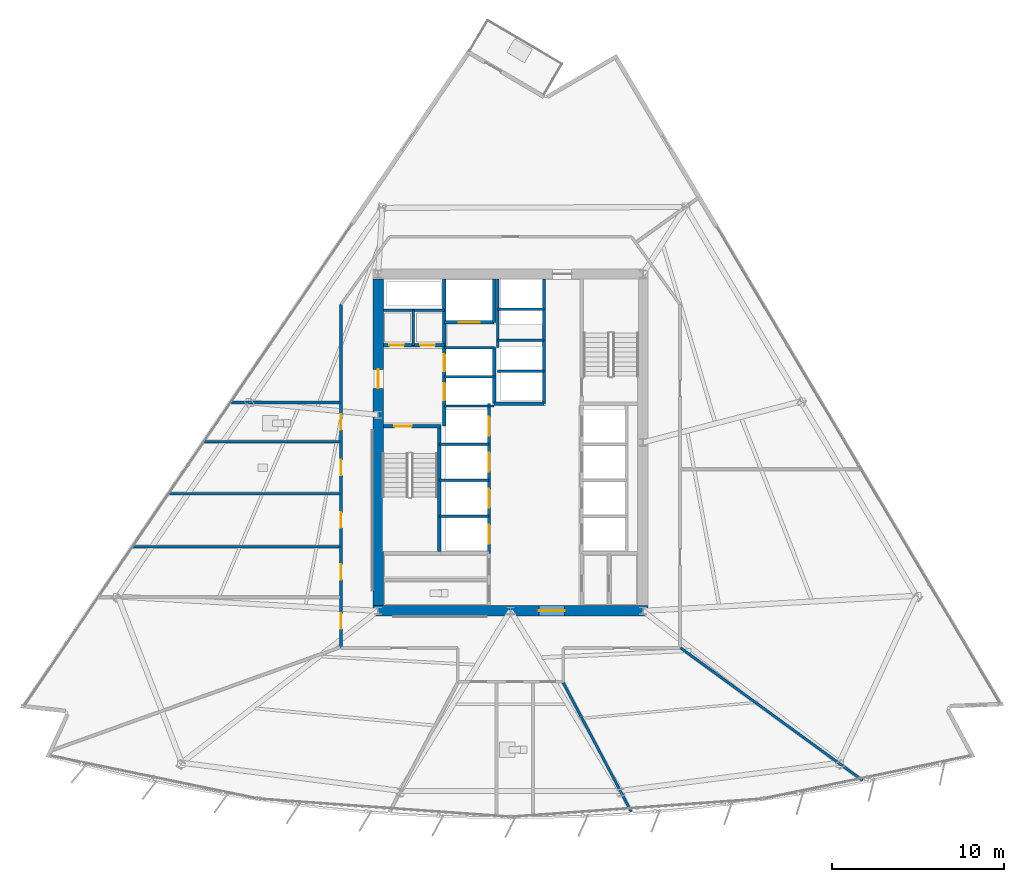
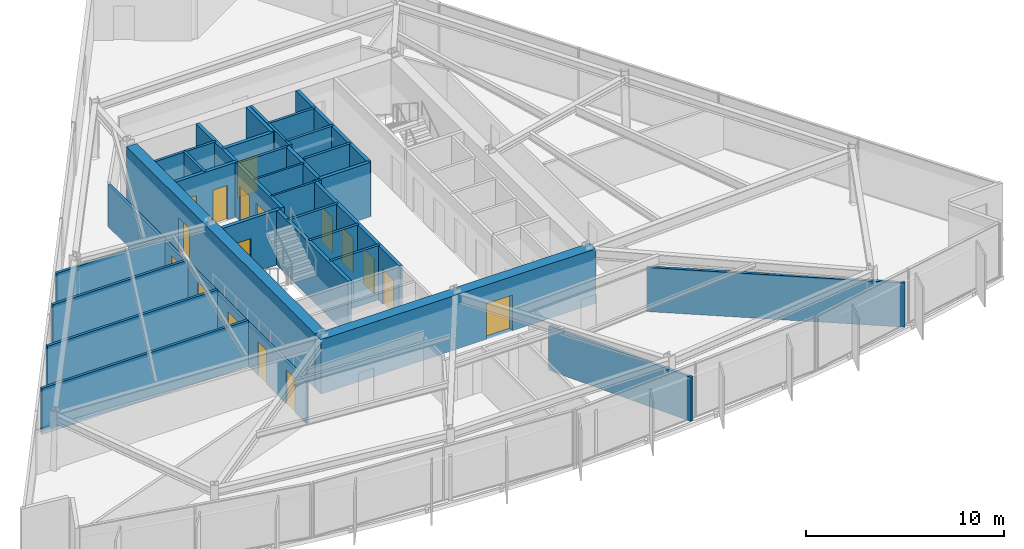
# One storey, part 8 of 15: 31 walls, 17 doors, 17 openings.
"""IFC4 building model written with IfcOpenShell, lengths in metres."""

from ifc_helpers import new_model, si_unit, direction, frame, frame_2d, origin, place, context, subcontext, project, spatial, rectangle, extrude, material, layer, layer_set, type_object, element, fill, save


model = new_model("IFC4")

# Units and contexts
model_context = context("Model", 3, precision=1e-05, world=origin(), true_north=direction((0.0, 1.0)))
body_context = subcontext(model_context, "Body", "Model", "MODEL_VIEW")
ifc_project = project(units=[si_unit("LENGTHUNIT", "METRE"), si_unit("AREAUNIT", "SQUARE_METRE"), si_unit("VOLUMEUNIT", "CUBIC_METRE"), si_unit("PLANEANGLEUNIT", "RADIAN"), si_unit("MASSUNIT", "GRAM", prefix="KILO")], contexts=[model_context])

# Site, building, storey
site_placement = place(None, origin())
site = spatial("IfcSite", under=ifc_project, at=site_placement, CompositionType="ELEMENT")
building_placement = place(site_placement, origin())
building = spatial("IfcBuilding", under=site, at=building_placement, Name="Savorim Split Tower", CompositionType="ELEMENT")
storey_placement = place(building_placement, frame((0.0, 0.0, 86.10009765625)))
storey = spatial("IfcBuildingStorey", under=building, at=storey_placement, Name="L22", CompositionType="ELEMENT", Elevation=86.10009765625)

# Wall, opening, door
ifc_material_1 = material(Name="Concrete C60/75", Category="concrete")
ifc_layer_1 = layer(ifc_material_1, 0.60009765625)
ifc_layer_set_1 = layer_set([ifc_layer_1], Name="WAL-COR-SH600")
wall_type_1 = type_object("IfcWallType", Name="WAL-COR-SH600", PredefinedType="SHEAR", material=ifc_layer_set_1)
wall_1_placement = place(storey_placement, frame((-8.0, -9.39990234375, 0.0), z_axis=(0.0, 0.0, 1.0), x_axis=(1.0, 0.0, 0.0)))
wall_1 = element("IfcWall", 1, at=wall_1_placement, inside=storey, type_object=wall_type_1, Name="L22 Offset Core South Shear Wall", PredefinedType="SHEAR", context=body_context, shape_type="SweptSolid", body=[
    extrude(rectangle(XDim=16.0, YDim=0.60009765625, at=frame_2d((8.0, 0.0))), origin(), (0.0, 0.0, 1.0), 3.349853515625),
])
opening_1_placement = place(wall_1_placement, frame((9.64990234375, 0.0, 0.0)))
opening_1 = element("IfcOpeningElement", 2, at=opening_1_placement, cuts=wall_1, Name="Opening DI-02", PredefinedType="OPENING", context=body_context, shape_type="SweptSolid", body=[
    extrude(rectangle(XDim=1.5, YDim=2.199951171875, at=frame_2d((0.75, 1.10009765625))), frame((0.0, 0.31005859375, 0.0), z_axis=(0.0, -1.0, 0.0), x_axis=(1.0, 0.0, 0.0)), (0.0, 0.0, 1.0), 0.6201171875),
])
ifc_material_2 = material(Name="Timber Fire Door Leaf", Category="wood")
door_type_1 = type_object("IfcDoorType", Name="DOR-DBL-1500", OperationType="NOTDEFINED", PredefinedType="DOOR", material=ifc_material_2)
door_1_placement = place(opening_1_placement, origin())
door_1 = element("IfcDoor", 3, at=door_1_placement, inside=storey, type_object=door_type_1, Name="DOR-L22-COR-LLOB - L22 Lift Lobby Main Rated Door", OperationType="DOUBLE_DOOR_SINGLE_SWING", OverallHeight=2.199951171875, OverallWidth=1.5, PredefinedType="DOOR", context=body_context, shape_type="SweptSolid", body=[
    extrude(rectangle(XDim=1.5, YDim=2.199951171875, at=frame_2d((0.75, 1.10009765625))), frame((0.0, 0.02490234375, 0.0), z_axis=(0.0, -1.0, 0.0), x_axis=(1.0, 0.0, 0.0)), (0.0, 0.0, 1.0), 0.050048828125),
])
fill(opening_1, door_1)

wall_2_placement = place(storey_placement, frame((-7.699951171875, -9.10009765625, 0.0), z_axis=(0.0, 0.0, 1.0), x_axis=(0.0, 1.0, 0.0)))
wall_2 = element("IfcWall", 4, at=wall_2_placement, inside=storey, type_object=wall_type_1, Name="L22 Offset Core West Shear Wall", PredefinedType="SHEAR", context=body_context, shape_type="SweptSolid", body=[
    extrude(rectangle(XDim=19.0, YDim=0.60009765625, at=frame_2d((9.5, 0.0))), origin(), (0.0, 0.0, 1.0), 3.349853515625),
])
opening_2_placement = place(wall_2_placement, frame((12.64990234375, 0.0, 0.0)))
opening_2 = element("IfcOpeningElement", 5, at=opening_2_placement, cuts=wall_2, Name="Opening DI-03", PredefinedType="OPENING", context=body_context, shape_type="SweptSolid", body=[
    extrude(rectangle(XDim=1.10009765625, YDim=2.14990234375, at=frame_2d((0.550048828125, 1.074951171875))), frame((0.0, 0.31005859375, 0.0), z_axis=(0.0, -1.0, 0.0), x_axis=(1.0, 0.0, 0.0)), (0.0, 0.0, 1.0), 0.6201171875),
])
door_type_2 = type_object("IfcDoorType", Name="DOR-FIR-1100", OperationType="NOTDEFINED", PredefinedType="DOOR", material=ifc_material_2)
door_2_placement = place(opening_2_placement, origin())
door_2 = element("IfcDoor", 6, at=door_2_placement, inside=storey, type_object=door_type_2, Name="DOR-L22-COR-FFLOB - L22 Firefighting Lobby Corridor Door", OperationType="SINGLE_SWING_RIGHT", OverallHeight=2.14990234375, OverallWidth=1.10009765625, PredefinedType="DOOR", context=body_context, shape_type="SweptSolid", body=[
    extrude(rectangle(XDim=1.10009765625, YDim=2.14990234375, at=frame_2d((0.550048828125, 1.074951171875))), frame((0.0, 0.02490234375, 0.0), z_axis=(0.0, -1.0, 0.0), x_axis=(1.0, 0.0, 0.0)), (0.0, 0.0, 1.0), 0.050048828125),
])
fill(opening_2, door_2)

ifc_material_3 = material(Name="Concrete C50/60", Category="concrete")
ifc_layer_2 = layer(ifc_material_3, 0.199951171875)
ifc_layer_set_2 = layer_set([ifc_layer_2], Name="WAL-INT-RC200")
wall_type_2 = type_object("IfcWallType", Name="WAL-INT-RC200", PredefinedType="SOLIDWALL", material=ifc_layer_set_2)
wall_3_placement = place(storey_placement, frame((-7.39990234375, 1.35009765625, 0.0), z_axis=(0.0, 0.0, 1.0), x_axis=(1.0, 0.0, 0.0)))
wall_3 = element("IfcWall", 7, at=wall_3_placement, inside=storey, type_object=wall_type_2, Name="L22 Structural Shaft Wall W-L22-CR01", PredefinedType="SOLIDWALL", context=body_context, shape_type="SweptSolid", body=[
    extrude(rectangle(XDim=3.349853515625, YDim=0.199951171875, at=frame_2d((1.6748046875, 0.0))), origin(), (0.0, 0.0, 1.0), 3.349853515625),
])
opening_3_placement = place(wall_3_placement, frame((0.64990234375, 0.0, 0.0)))
opening_3 = element("IfcOpeningElement", 8, at=opening_3_placement, cuts=wall_3, Name="Opening DI-04", PredefinedType="OPENING", context=body_context, shape_type="SweptSolid", body=[
    extrude(rectangle(XDim=1.0, YDim=2.14990234375, at=frame_2d((0.5, 1.074951171875))), frame((0.0, 0.10986328125, 0.0), z_axis=(0.0, -1.0, 0.0), x_axis=(1.0, 0.0, 0.0)), (0.0, 0.0, 1.0), 0.219970703125),
])
door_type_3 = type_object("IfcDoorType", Name="DOR-FIR-1000", OperationType="NOTDEFINED", PredefinedType="DOOR", material=ifc_material_2)
door_3_placement = place(opening_3_placement, origin())
door_3 = element("IfcDoor", 9, at=door_3_placement, inside=storey, type_object=door_type_3, Name="DR-L22-ST1 - L22 Stair ST-1 Enclosure Door", OperationType="SINGLE_SWING_LEFT", OverallHeight=2.14990234375, OverallWidth=1.0, PredefinedType="DOOR", context=body_context, shape_type="SweptSolid", body=[
    extrude(rectangle(XDim=1.0, YDim=2.14990234375, at=frame_2d((0.5, 1.074951171875))), frame((0.0, 0.02490234375, 0.0), z_axis=(0.0, -1.0, 0.0), x_axis=(1.0, 0.0, 0.0)), (0.0, 0.0, 1.0), 0.050048828125),
])
fill(opening_3, door_3)

# Wall
wall_4_placement = place(storey_placement, frame((-4.14990234375, -5.949951171875, 0.0), z_axis=(0.0, 0.0, 1.0), x_axis=(0.0, 1.0, 0.0)))
element("IfcWall", 10, at=wall_4_placement, inside=storey, type_object=wall_type_2, Name="L22 Structural Shaft Wall W-L22-CR02", PredefinedType="SOLIDWALL", context=body_context, shape_type="SweptSolid", body=[
    extrude(rectangle(XDim=7.199951171875, YDim=0.199951171875, at=frame_2d((3.60009765625, 0.0))), origin(), (0.0, 0.0, 1.0), 3.349853515625),
])

# Wall, openings, doors
wall_5_placement = place(storey_placement, frame((-3.85009765625, 1.35009765625, 0.0), z_axis=(0.0, 0.0, 1.0), x_axis=(0.0, 1.0, 0.0)))
wall_5 = element("IfcWall", 11, at=wall_5_placement, inside=storey, type_object=wall_type_2, Name="L22 Partition W-L22-CR03", PredefinedType="SOLIDWALL", context=body_context, shape_type="SweptSolid", body=[
    extrude(rectangle(XDim=8.544921875, YDim=0.199951171875, at=frame_2d((4.2724609375, 0.0))), origin(), (0.0, 0.0, 1.0), 3.349853515625),
])
opening_4_placement = place(wall_5_placement, frame((1.5, 0.0, 0.0)))
opening_4 = element("IfcOpeningElement", 12, at=opening_4_placement, cuts=wall_5, Name="Opening LD-FFL", PredefinedType="OPENING", context=body_context, shape_type="SweptSolid", body=[
    extrude(rectangle(XDim=1.0, YDim=2.14990234375, at=frame_2d((0.5, 1.074951171875))), frame((0.0, 0.10986328125, 0.0), z_axis=(0.0, -1.0, 0.0), x_axis=(1.0, 0.0, 0.0)), (0.0, 0.0, 1.0), 0.219970703125),
])
opening_5_placement = place(wall_5_placement, frame((3.179931640625, 0.0, 0.0)))
opening_5 = element("IfcOpeningElement", 13, at=opening_5_placement, cuts=wall_5, Name="Opening LD-FFL", PredefinedType="OPENING", context=body_context, shape_type="SweptSolid", body=[
    extrude(rectangle(XDim=1.0, YDim=2.14990234375, at=frame_2d((0.5, 1.074951171875))), frame((0.0, 0.10986328125, 0.0), z_axis=(0.0, -1.0, 0.0), x_axis=(1.0, 0.0, 0.0)), (0.0, 0.0, 1.0), 0.219970703125),
])
ifc_material_4 = material(Name="Charcoal Anodised Aluminium", Category="aluminium")
door_type_4 = type_object("IfcDoorType", Name="DOR-SLD-LD1000", OperationType="NOTDEFINED", PredefinedType="DOOR", material=ifc_material_4)
door_4_placement = place(opening_4_placement, origin())
door_4 = element("IfcDoor", 14, at=door_4_placement, inside=storey, type_object=door_type_4, Name="DR-L22-LD-FFL1 - L22 Firefighting Lift FFL-1 Sliding Landing Door", OperationType="DOUBLE_DOOR_SLIDING", OverallHeight=2.14990234375, OverallWidth=1.0, PredefinedType="DOOR", context=body_context, shape_type="SweptSolid", body=[
    extrude(rectangle(XDim=1.0, YDim=2.14990234375, at=frame_2d((0.5, 1.074951171875))), frame((0.0, 0.02490234375, 0.0), z_axis=(0.0, -1.0, 0.0), x_axis=(1.0, 0.0, 0.0)), (0.0, 0.0, 1.0), 0.050048828125),
])
fill(opening_4, door_4)
door_5_placement = place(opening_5_placement, origin())
door_5 = element("IfcDoor", 15, at=door_5_placement, inside=storey, type_object=door_type_4, Name="DR-L22-LD-FFL2 - L22 Firefighting Lift FFL-2 Sliding Landing Door", OperationType="DOUBLE_DOOR_SLIDING", OverallHeight=2.14990234375, OverallWidth=1.0, PredefinedType="DOOR", context=body_context, shape_type="SweptSolid", body=[
    extrude(rectangle(XDim=1.0, YDim=2.14990234375, at=frame_2d((0.5, 1.074951171875))), frame((0.0, 0.02490234375, 0.0), z_axis=(0.0, -1.0, 0.0), x_axis=(1.0, 0.0, 0.0)), (0.0, 0.0, 1.0), 0.050048828125),
])
fill(opening_5, door_5)

wall_6_placement = place(storey_placement, frame((-7.39501953125, 6.050048828125, 0.0), z_axis=(0.0, 0.0, 1.0), x_axis=(1.0, 0.0, 0.0)))
wall_6 = element("IfcWall", 16, at=wall_6_placement, inside=storey, type_object=wall_type_2, Name="L22 Partition W-L22-CR04", PredefinedType="SOLIDWALL", context=body_context, shape_type="SweptSolid", body=[
    extrude(rectangle(XDim=3.544921875, YDim=0.199951171875, at=frame_2d((1.7724609375, 0.0))), origin(), (0.0, 0.0, 1.0), 3.349853515625),
])
opening_6_placement = place(wall_6_placement, frame((0.344970703125, 0.0, 0.0)))
opening_6 = element("IfcOpeningElement", 17, at=opening_6_placement, cuts=wall_6, Name="Opening DI-12", PredefinedType="OPENING", context=body_context, shape_type="SweptSolid", body=[
    extrude(rectangle(XDim=0.85009765625, YDim=2.10009765625, at=frame_2d((0.425048828125, 1.050048828125))), frame((0.0, 0.10986328125, 0.0), z_axis=(0.0, -1.0, 0.0), x_axis=(1.0, 0.0, 0.0)), (0.0, 0.0, 1.0), 0.219970703125),
])
opening_7_placement = place(wall_6_placement, frame((2.14501953125, 0.0, 0.0)))
opening_7 = element("IfcOpeningElement", 18, at=opening_7_placement, cuts=wall_6, Name="Opening DI-12", PredefinedType="OPENING", context=body_context, shape_type="SweptSolid", body=[
    extrude(rectangle(XDim=0.85009765625, YDim=2.10009765625, at=frame_2d((0.425048828125, 1.050048828125))), frame((0.0, 0.10986328125, 0.0), z_axis=(0.0, -1.0, 0.0), x_axis=(1.0, 0.0, 0.0)), (0.0, 0.0, 1.0), 0.219970703125),
])
ifc_material_5 = material(Name="Galvanised Painted Steel Balustrade", Category="steel")
door_type_5 = type_object("IfcDoorType", Name="DOR-RIS-850", OperationType="NOTDEFINED", PredefinedType="DOOR", material=ifc_material_5)
door_6_placement = place(opening_6_placement, origin())
door_6 = element("IfcDoor", 19, at=door_6_placement, inside=storey, type_object=door_type_5, Name="DR-L22-ELR - L22 Electrical Riser Access Door", OperationType="SINGLE_SWING_RIGHT", OverallHeight=2.10009765625, OverallWidth=0.85009765625, PredefinedType="DOOR", context=body_context, shape_type="SweptSolid", body=[
    extrude(rectangle(XDim=0.85009765625, YDim=2.10009765625, at=frame_2d((0.425048828125, 1.050048828125))), frame((0.0, 0.02490234375, 0.0), z_axis=(0.0, -1.0, 0.0), x_axis=(1.0, 0.0, 0.0)), (0.0, 0.0, 1.0), 0.050048828125),
])
fill(opening_6, door_6)
door_7_placement = place(opening_7_placement, origin())
door_7 = element("IfcDoor", 20, at=door_7_placement, inside=storey, type_object=door_type_5, Name="DR-L22-TLR - L22 Telecom Riser Access Door", OperationType="SINGLE_SWING_LEFT", OverallHeight=2.10009765625, OverallWidth=0.85009765625, PredefinedType="DOOR", context=body_context, shape_type="SweptSolid", body=[
    extrude(rectangle(XDim=0.85009765625, YDim=2.10009765625, at=frame_2d((0.425048828125, 1.050048828125))), frame((0.0, 0.02490234375, 0.0), z_axis=(0.0, -1.0, 0.0), x_axis=(1.0, 0.0, 0.0)), (0.0, 0.0, 1.0), 0.050048828125),
])
fill(opening_7, door_7)

# Wall
wall_7_placement = place(storey_placement, frame((-0.949951171875, 2.64990234375, 0.0), z_axis=(0.0, 0.0, 1.0), x_axis=(0.0, 1.0, 0.0)))
element("IfcWall", 21, at=wall_7_placement, inside=storey, type_object=wall_type_2, Name="L22 Partition W-L22-FFLW", PredefinedType="SOLIDWALL", context=body_context, shape_type="SweptSolid", body=[
    extrude(rectangle(XDim=3.27001953125, YDim=0.199951171875, at=frame_2d((1.635009765625, 0.0))), origin(), (0.0, 0.0, 1.0), 3.349853515625),
])

# Wall, opening, door
wall_8_placement = place(storey_placement, frame((-3.85009765625, 7.3798828125, 0.0), z_axis=(0.0, 0.0, 1.0), x_axis=(1.0, 0.0, 0.0)))
wall_8 = element("IfcWall", 22, at=wall_8_placement, inside=storey, type_object=wall_type_2, Name="L22 Partition W-L22-SVLS", PredefinedType="SOLIDWALL", context=body_context, shape_type="SweptSolid", body=[
    extrude(rectangle(XDim=2.900146484375, YDim=0.199951171875, at=frame_2d((1.4501953125, 0.0))), origin(), (0.0, 0.0, 1.0), 3.349853515625),
])
opening_8_placement = place(wall_8_placement, frame((0.85009765625, 0.0, 0.0)))
opening_8 = element("IfcOpeningElement", 23, at=opening_8_placement, cuts=wall_8, Name="Opening LD-SV", PredefinedType="OPENING", context=body_context, shape_type="SweptSolid", body=[
    extrude(rectangle(XDim=1.199951171875, YDim=2.199951171875, at=frame_2d((0.60009765625, 1.10009765625))), frame((0.0, 0.10986328125, 0.0), z_axis=(0.0, -1.0, 0.0), x_axis=(1.0, 0.0, 0.0)), (0.0, 0.0, 1.0), 0.219970703125),
])
door_type_6 = type_object("IfcDoorType", Name="DOR-SLD-SV1200", OperationType="NOTDEFINED", PredefinedType="DOOR", material=ifc_material_4)
door_8_placement = place(opening_8_placement, origin())
door_8 = element("IfcDoor", 24, at=door_8_placement, inside=storey, type_object=door_type_6, Name="DR-L22-LD-SVL1 - L22 Service Lift SVL-1 Sliding Landing Door", OperationType="DOUBLE_DOOR_SLIDING", OverallHeight=2.199951171875, OverallWidth=1.199951171875, PredefinedType="DOOR", context=body_context, shape_type="SweptSolid", body=[
    extrude(rectangle(XDim=1.199951171875, YDim=2.199951171875, at=frame_2d((0.60009765625, 1.10009765625))), frame((0.0, 0.02490234375, 0.0), z_axis=(0.0, -1.0, 0.0), x_axis=(1.0, 0.0, 0.0)), (0.0, 0.0, 1.0), 0.050048828125),
])
fill(opening_8, door_8)

# Wall
wall_9_placement = place(storey_placement, frame((-0.949951171875, 7.3798828125, 0.0), z_axis=(0.0, 0.0, 1.0), x_axis=(0.0, 1.0, 0.0)))
element("IfcWall", 25, at=wall_9_placement, inside=storey, type_object=wall_type_2, Name="L22 Partition W-L22-SVLE", PredefinedType="SOLIDWALL", context=body_context, shape_type="SweptSolid", body=[
    extrude(rectangle(XDim=2.51513671875, YDim=0.199951171875, at=frame_2d((1.257568359375, 0.0))), origin(), (0.0, 0.0, 1.0), 3.349853515625),
])

# Wall, openings, doors
wall_10_placement = place(storey_placement, frame((-1.25, -6.050048828125, 0.0), z_axis=(0.0, 0.0, 1.0), x_axis=(0.0, 1.0, 0.0)))
wall_10 = element("IfcWall", 26, at=wall_10_placement, inside=storey, type_object=wall_type_2, Name="L22 Partition W-L22-B2FRONT", PredefinedType="SOLIDWALL", context=body_context, shape_type="SweptSolid", body=[
    extrude(rectangle(XDim=8.699951171875, YDim=0.199951171875, at=frame_2d((4.35009765625, 0.0))), origin(), (0.0, 0.0, 1.0), 3.349853515625),
])
opening_9_placement = place(wall_10_placement, frame((0.550048828125, 0.0, 0.0)))
opening_9 = element("IfcOpeningElement", 27, at=opening_9_placement, cuts=wall_10, Name="Opening LD-02", PredefinedType="OPENING", context=body_context, shape_type="SweptSolid", body=[
    extrude(rectangle(XDim=1.10009765625, YDim=2.14990234375, at=frame_2d((0.550048828125, 1.074951171875))), frame((0.0, 0.10986328125, 0.0), z_axis=(0.0, -1.0, 0.0), x_axis=(1.0, 0.0, 0.0)), (0.0, 0.0, 1.0), 0.219970703125),
])
opening_10_placement = place(wall_10_placement, frame((2.64990234375, 0.0, 0.0)))
opening_10 = element("IfcOpeningElement", 28, at=opening_10_placement, cuts=wall_10, Name="Opening LD-02", PredefinedType="OPENING", context=body_context, shape_type="SweptSolid", body=[
    extrude(rectangle(XDim=1.10009765625, YDim=2.14990234375, at=frame_2d((0.550048828125, 1.074951171875))), frame((0.0, 0.10986328125, 0.0), z_axis=(0.0, -1.0, 0.0), x_axis=(1.0, 0.0, 0.0)), (0.0, 0.0, 1.0), 0.219970703125),
])
opening_11_placement = place(wall_10_placement, frame((4.75, 0.0, 0.0)))
opening_11 = element("IfcOpeningElement", 29, at=opening_11_placement, cuts=wall_10, Name="Opening LD-02", PredefinedType="OPENING", context=body_context, shape_type="SweptSolid", body=[
    extrude(rectangle(XDim=1.10009765625, YDim=2.14990234375, at=frame_2d((0.550048828125, 1.074951171875))), frame((0.0, 0.10986328125, 0.0), z_axis=(0.0, -1.0, 0.0), x_axis=(1.0, 0.0, 0.0)), (0.0, 0.0, 1.0), 0.219970703125),
])
opening_12_placement = place(wall_10_placement, frame((6.85009765625, 0.0, 0.0)))
opening_12 = element("IfcOpeningElement", 30, at=opening_12_placement, cuts=wall_10, Name="Opening LD-02", PredefinedType="OPENING", context=body_context, shape_type="SweptSolid", body=[
    extrude(rectangle(XDim=1.10009765625, YDim=2.14990234375, at=frame_2d((0.550048828125, 1.074951171875))), frame((0.0, 0.10986328125, 0.0), z_axis=(0.0, -1.0, 0.0), x_axis=(1.0, 0.0, 0.0)), (0.0, 0.0, 1.0), 0.219970703125),
])
door_type_7 = type_object("IfcDoorType", Name="DOR-SLD-LDM1100", OperationType="NOTDEFINED", PredefinedType="DOOR", material=ifc_material_4)
door_9_placement = place(opening_9_placement, origin())
door_9 = element("IfcDoor", 31, at=door_9_placement, inside=storey, type_object=door_type_7, Name="DR-L22-LD-PLM1 - L22 Lift PL-M1 Sliding Landing Door", OperationType="DOUBLE_DOOR_SLIDING", OverallHeight=2.14990234375, OverallWidth=1.10009765625, PredefinedType="DOOR", context=body_context, shape_type="SweptSolid", body=[
    extrude(rectangle(XDim=1.10009765625, YDim=2.14990234375, at=frame_2d((0.550048828125, 1.074951171875))), frame((0.0, 0.02490234375, 0.0), z_axis=(0.0, -1.0, 0.0), x_axis=(1.0, 0.0, 0.0)), (0.0, 0.0, 1.0), 0.050048828125),
])
fill(opening_9, door_9)
door_10_placement = place(opening_10_placement, origin())
door_10 = element("IfcDoor", 32, at=door_10_placement, inside=storey, type_object=door_type_7, Name="DR-L22-LD-PLM2 - L22 Lift PL-M2 Sliding Landing Door", OperationType="DOUBLE_DOOR_SLIDING", OverallHeight=2.14990234375, OverallWidth=1.10009765625, PredefinedType="DOOR", context=body_context, shape_type="SweptSolid", body=[
    extrude(rectangle(XDim=1.10009765625, YDim=2.14990234375, at=frame_2d((0.550048828125, 1.074951171875))), frame((0.0, 0.02490234375, 0.0), z_axis=(0.0, -1.0, 0.0), x_axis=(1.0, 0.0, 0.0)), (0.0, 0.0, 1.0), 0.050048828125),
])
fill(opening_10, door_10)
door_11_placement = place(opening_11_placement, origin())
door_11 = element("IfcDoor", 33, at=door_11_placement, inside=storey, type_object=door_type_7, Name="DR-L22-LD-PLM3 - L22 Lift PL-M3 Sliding Landing Door", OperationType="DOUBLE_DOOR_SLIDING", OverallHeight=2.14990234375, OverallWidth=1.10009765625, PredefinedType="DOOR", context=body_context, shape_type="SweptSolid", body=[
    extrude(rectangle(XDim=1.10009765625, YDim=2.14990234375, at=frame_2d((0.550048828125, 1.074951171875))), frame((0.0, 0.02490234375, 0.0), z_axis=(0.0, -1.0, 0.0), x_axis=(1.0, 0.0, 0.0)), (0.0, 0.0, 1.0), 0.050048828125),
])
fill(opening_11, door_11)
door_12_placement = place(opening_12_placement, origin())
door_12 = element("IfcDoor", 34, at=door_12_placement, inside=storey, type_object=door_type_7, Name="DR-L22-LD-PLM4 - L22 Lift PL-M4 Sliding Landing Door", OperationType="DOUBLE_DOOR_SLIDING", OverallHeight=2.14990234375, OverallWidth=1.10009765625, PredefinedType="DOOR", context=body_context, shape_type="SweptSolid", body=[
    extrude(rectangle(XDim=1.10009765625, YDim=2.14990234375, at=frame_2d((0.550048828125, 1.074951171875))), frame((0.0, 0.02490234375, 0.0), z_axis=(0.0, -1.0, 0.0), x_axis=(1.0, 0.0, 0.0)), (0.0, 0.0, 1.0), 0.050048828125),
])
fill(opening_12, door_12)

# Walls
wall_11_placement = place(storey_placement, frame((1.949951171875, 2.64990234375, 0.0), z_axis=(0.0, 0.0, 1.0), x_axis=(0.0, 1.0, 0.0)))
element("IfcWall", 35, at=wall_11_placement, inside=storey, type_object=wall_type_2, Name="L22 Partition W-L22-B3FRONT", PredefinedType="SOLIDWALL", context=body_context, shape_type="SweptSolid", body=[
    extrude(rectangle(XDim=7.2451171875, YDim=0.199951171875, at=frame_2d((3.62255859375, 0.0))), origin(), (0.0, 0.0, 1.0), 3.349853515625),
])
wall_12_placement = place(storey_placement, frame((-0.949951171875, 2.64990234375, 0.0), z_axis=(0.0, 0.0, 1.0), x_axis=(1.0, 0.0, 0.0)))
element("IfcWall", 36, at=wall_12_placement, inside=storey, type_object=wall_type_2, Name="L22 Partition W-L22-B3SOUTH", PredefinedType="SOLIDWALL", context=body_context, shape_type="SweptSolid", body=[
    extrude(rectangle(XDim=2.89990234375, YDim=0.199951171875, at=frame_2d((1.449951171875, 0.0))), origin(), (0.0, 0.0, 1.0), 3.349853515625),
])
ifc_material_6 = material(Name="Acoustic Gypsum Partition Board")
ifc_layer_3 = layer(ifc_material_6, 0.1201171875)
ifc_layer_set_3 = layer_set([ifc_layer_3], Name="WAL-PAR-120")
wall_type_3 = type_object("IfcWallType", Name="WAL-PAR-120", PredefinedType="PARTITIONING", material=ifc_layer_set_3)
for number, where, z_axis, x_axis, name in (
    (37, (-3.85009765625, 2.52001953125, 0.0), (0.0, 0.0, 1.0), (1.0, 0.0, 0.0), "L22 Partition W-L22-FFLD0"),
    (38, (-3.85009765625, 4.219970703125, 0.0), (0.0, 0.0, 1.0), (1.0, 0.0, 0.0), "L22 Partition W-L22-FFLD1"),
):
    element("IfcWall", number, at=place(storey_placement, frame(where, z_axis=z_axis, x_axis=x_axis)), inside=storey, type_object=wall_type_3, Name=name, PredefinedType="PARTITIONING", context=body_context, shape_type="SweptSolid", body=[
        extrude(rectangle(XDim=2.900146484375, YDim=0.1201171875, at=frame_2d((1.4501953125, 0.0))), origin(), (0.0, 0.0, 1.0), 3.349853515625),
    ])
ifc_layer_4 = layer(ifc_material_6, 0.14990234375)
ifc_layer_set_4 = layer_set([ifc_layer_4], Name="WAL-PAR-150")
wall_type_4 = type_object("IfcWallType", Name="WAL-PAR-150", PredefinedType="PARTITIONING", material=ifc_layer_set_4)
wall_13_placement = place(storey_placement, frame((-7.39501953125, 8.10009765625, 0.0), z_axis=(0.0, 0.0, 1.0), x_axis=(1.0, 0.0, 0.0)))
element("IfcWall", 39, at=wall_13_placement, inside=storey, type_object=wall_type_4, Name="L22 Partition W-L22-CR05", PredefinedType="PARTITIONING", context=body_context, shape_type="SweptSolid", body=[
    extrude(rectangle(XDim=3.544921875, YDim=0.14990234375, at=frame_2d((1.7724609375, 0.0))), origin(), (0.0, 0.0, 1.0), 3.349853515625),
])
wall_14_placement = place(storey_placement, frame((-5.64990234375, 6.050048828125, 0.0), z_axis=(0.0, 0.0, 1.0), x_axis=(0.0, 1.0, 0.0)))
element("IfcWall", 40, at=wall_14_placement, inside=storey, type_object=wall_type_4, Name="L22 Partition W-L22-CR06", PredefinedType="PARTITIONING", context=body_context, shape_type="SweptSolid", body=[
    extrude(rectangle(XDim=2.050048828125, YDim=0.14990234375, at=frame_2d((1.02490234375, 0.0))), origin(), (0.0, 0.0, 1.0), 3.349853515625),
])
wall_15_placement = place(storey_placement, frame((-3.85009765625, 5.89990234375, 0.0), z_axis=(0.0, 0.0, 1.0), x_axis=(1.0, 0.0, 0.0)))
element("IfcWall", 41, at=wall_15_placement, inside=storey, type_object=wall_type_4, Name="L22 Partition W-L22-FFLD2", PredefinedType="PARTITIONING", context=body_context, shape_type="SweptSolid", body=[
    extrude(rectangle(XDim=2.900146484375, YDim=0.14990234375, at=frame_2d((1.4501953125, 0.0))), origin(), (0.0, 0.0, 1.0), 3.349853515625),
])
for number, where, z_axis, x_axis, name in (
    (42, (-4.14990234375, -3.89990234375, 0.0), (0.0, 0.0, 1.0), (1.0, 0.0, 0.0), "L22 Partition W-L22-B2DIV1"),
    (43, (-4.14990234375, -1.800048828125, 0.0), (0.0, 0.0, 1.0), (1.0, 0.0, 0.0), "L22 Partition W-L22-B2DIV2"),
    (44, (-4.14990234375, 0.300048828125, 0.0), (0.0, 0.0, 1.0), (1.0, 0.0, 0.0), "L22 Partition W-L22-B2DIV3"),
):
    element("IfcWall", number, at=place(storey_placement, frame(where, z_axis=z_axis, x_axis=x_axis)), inside=storey, type_object=wall_type_4, Name=name, PredefinedType="PARTITIONING", context=body_context, shape_type="SweptSolid", body=[
        extrude(rectangle(XDim=2.89990234375, YDim=0.14990234375, at=frame_2d((1.449951171875, 0.0))), origin(), (0.0, 0.0, 1.0), 3.349853515625),
    ])
wall_16_placement = place(storey_placement, frame((-0.75, 5.919921875, 0.0), z_axis=(0.0, 0.0, 1.0), x_axis=(0.0, 1.0, 0.0)))
element("IfcWall", 45, at=wall_16_placement, inside=storey, type_object=wall_type_4, Name="L22 Partition W-L22-B3WEST", PredefinedType="PARTITIONING", context=body_context, shape_type="SweptSolid", body=[
    extrude(rectangle(XDim=3.97509765625, YDim=0.14990234375, at=frame_2d((1.987548828125, 0.0))), origin(), (0.0, 0.0, 1.0), 3.349853515625),
])
for number, where, z_axis, x_axis, name in (
    (46, (-0.75, 4.550048828125, 0.0), (0.0, 0.0, 1.0), (1.0, 0.0, 0.0), "L22 Partition W-L22-B3DIV1"),
    (47, (-0.75, 6.35009765625, 0.0), (0.0, 0.0, 1.0), (1.0, 0.0, 0.0), "L22 Partition W-L22-B3DIV2"),
    (48, (-0.75, 8.14990234375, 0.0), (0.0, 0.0, 1.0), (1.0, 0.0, 0.0), "L22 Partition W-L22-B3DIV3"),
):
    element("IfcWall", number, at=place(storey_placement, frame(where, z_axis=z_axis, x_axis=x_axis)), inside=storey, type_object=wall_type_4, Name=name, PredefinedType="PARTITIONING", context=body_context, shape_type="SweptSolid", body=[
        extrude(rectangle(XDim=2.699951171875, YDim=0.14990234375, at=frame_2d((1.35009765625, 0.0))), origin(), (0.0, 0.0, 1.0), 3.349853515625),
    ])

# Wall, openings, doors
wall_17_placement = place(storey_placement, frame((-9.860107421875, -11.56005859375, 0.0), z_axis=(0.0, 0.0, 1.0), x_axis=(0.0, 1.0, 0.0)))
wall_17 = element("IfcWall", 49, at=wall_17_placement, inside=storey, type_object=wall_type_4, Name="L22 Partition W-L22-COR-01", PredefinedType="PARTITIONING", context=body_context, shape_type="SweptSolid", body=[
    extrude(rectangle(XDim=19.98583984375, YDim=0.14990234375, at=frame_2d((9.992919921875, 0.0))), origin(), (0.0, 0.0, 1.0), 2.60888671875),
])
opening_13_placement = place(wall_17_placement, frame((10.038818359375, 0.0, 0.0)))
opening_13 = element("IfcOpeningElement", 50, at=opening_13_placement, cuts=wall_17, Name="Opening DI-06", PredefinedType="OPENING", context=body_context, shape_type="SweptSolid", body=[
    extrude(rectangle(XDim=0.89990234375, YDim=2.10009765625, at=frame_2d((0.449951171875, 1.050048828125))), frame((0.0, 0.0849609375, 0.0), z_axis=(0.0, -1.0, 0.0), x_axis=(1.0, 0.0, 0.0)), (0.0, 0.0, 1.0), 0.169921875),
])
opening_14_placement = place(wall_17_placement, frame((6.98583984375, 0.0, 0.0)))
opening_14 = element("IfcOpeningElement", 51, at=opening_14_placement, cuts=wall_17, Name="Opening DI-06", PredefinedType="OPENING", context=body_context, shape_type="SweptSolid", body=[
    extrude(rectangle(XDim=0.89990234375, YDim=2.10009765625, at=frame_2d((0.449951171875, 1.050048828125))), frame((0.0, 0.0849609375, 0.0), z_axis=(0.0, -1.0, 0.0), x_axis=(1.0, 0.0, 0.0)), (0.0, 0.0, 1.0), 0.169921875),
])
opening_15_placement = place(wall_17_placement, frame((3.970703125, 0.0, 0.0)))
opening_15 = element("IfcOpeningElement", 52, at=opening_15_placement, cuts=wall_17, Name="Opening DI-06", PredefinedType="OPENING", context=body_context, shape_type="SweptSolid", body=[
    extrude(rectangle(XDim=0.89990234375, YDim=2.10009765625, at=frame_2d((0.449951171875, 1.050048828125))), frame((0.0, 0.0849609375, 0.0), z_axis=(0.0, -1.0, 0.0), x_axis=(1.0, 0.0, 0.0)), (0.0, 0.0, 1.0), 0.169921875),
])
opening_16_placement = place(wall_17_placement, frame((1.114501953125, 0.0, 0.0)))
opening_16 = element("IfcOpeningElement", 53, at=opening_16_placement, cuts=wall_17, Name="Opening DI-06", PredefinedType="OPENING", context=body_context, shape_type="SweptSolid", body=[
    extrude(rectangle(XDim=0.89990234375, YDim=2.10009765625, at=frame_2d((0.449951171875, 1.050048828125))), frame((0.0, 0.0849609375, 0.0), z_axis=(0.0, -1.0, 0.0), x_axis=(1.0, 0.0, 0.0)), (0.0, 0.0, 1.0), 0.169921875),
])
opening_17_placement = place(wall_17_placement, frame((12.6884765625, 0.0, 0.0)))
opening_17 = element("IfcOpeningElement", 54, at=opening_17_placement, cuts=wall_17, Name="Opening DI-11", PredefinedType="OPENING", context=body_context, shape_type="SweptSolid", body=[
    extrude(rectangle(XDim=0.89990234375, YDim=2.10009765625, at=frame_2d((0.449951171875, 1.050048828125))), frame((0.0, 0.0849609375, 0.0), z_axis=(0.0, -1.0, 0.0), x_axis=(1.0, 0.0, 0.0)), (0.0, 0.0, 1.0), 0.169921875),
])
door_type_8 = type_object("IfcDoorType", Name="DOR-FIR-900", OperationType="NOTDEFINED", PredefinedType="DOOR", material=ifc_material_2)
door_13_placement = place(opening_13_placement, origin())
door_13 = element("IfcDoor", 55, at=door_13_placement, inside=storey, type_object=door_type_8, Name="DR-L22-RM01 - L22 Shared Kitchen Entry Door", OperationType="SINGLE_SWING_RIGHT", OverallHeight=2.10009765625, OverallWidth=0.89990234375, PredefinedType="DOOR", context=body_context, shape_type="SweptSolid", body=[
    extrude(rectangle(XDim=0.89990234375, YDim=2.10009765625, at=frame_2d((0.449951171875, 1.050048828125))), frame((0.0, 0.02490234375, 0.0), z_axis=(0.0, -1.0, 0.0), x_axis=(1.0, 0.0, 0.0)), (0.0, 0.0, 1.0), 0.050048828125),
])
fill(opening_13, door_13)
door_14_placement = place(opening_14_placement, origin())
door_14 = element("IfcDoor", 56, at=door_14_placement, inside=storey, type_object=door_type_8, Name="DR-L22-RM02 - L22 Co-Living Bedroom Entry Door", OperationType="SINGLE_SWING_LEFT", OverallHeight=2.10009765625, OverallWidth=0.89990234375, PredefinedType="DOOR", context=body_context, shape_type="SweptSolid", body=[
    extrude(rectangle(XDim=0.89990234375, YDim=2.10009765625, at=frame_2d((0.449951171875, 1.050048828125))), frame((0.0, 0.02490234375, 0.0), z_axis=(0.0, -1.0, 0.0), x_axis=(1.0, 0.0, 0.0)), (0.0, 0.0, 1.0), 0.050048828125),
])
fill(opening_14, door_14)
door_15_placement = place(opening_15_placement, origin())
door_15 = element("IfcDoor", 57, at=door_15_placement, inside=storey, type_object=door_type_8, Name="DR-L22-RM03 - L22 Quiet Study Room Entry Door", OperationType="SINGLE_SWING_RIGHT", OverallHeight=2.10009765625, OverallWidth=0.89990234375, PredefinedType="DOOR", context=body_context, shape_type="SweptSolid", body=[
    extrude(rectangle(XDim=0.89990234375, YDim=2.10009765625, at=frame_2d((0.449951171875, 1.050048828125))), frame((0.0, 0.02490234375, 0.0), z_axis=(0.0, -1.0, 0.0), x_axis=(1.0, 0.0, 0.0)), (0.0, 0.0, 1.0), 0.050048828125),
])
fill(opening_15, door_15)
door_16_placement = place(opening_16_placement, origin())
door_16 = element("IfcDoor", 58, at=door_16_placement, inside=storey, type_object=door_type_8, Name="DR-L22-RM04 - L22 Maker Workshop Entry Door", OperationType="SINGLE_SWING_LEFT", OverallHeight=2.10009765625, OverallWidth=0.89990234375, PredefinedType="DOOR", context=body_context, shape_type="SweptSolid", body=[
    extrude(rectangle(XDim=0.89990234375, YDim=2.10009765625, at=frame_2d((0.449951171875, 1.050048828125))), frame((0.0, 0.02490234375, 0.0), z_axis=(0.0, -1.0, 0.0), x_axis=(1.0, 0.0, 0.0)), (0.0, 0.0, 1.0), 0.050048828125),
])
fill(opening_16, door_16)
ifc_material_7 = material(Name="Oak Veneer Acoustic Door")
door_type_9 = type_object("IfcDoorType", Name="DOR-WC-900", OperationType="NOTDEFINED", PredefinedType="DOOR", material=ifc_material_7)
door_17_placement = place(opening_17_placement, origin())
door_17 = element("IfcDoor", 59, at=door_17_placement, inside=storey, type_object=door_type_9, Name="DR-L22-RM13 - L22 Shared Bathroom Entry Door", OperationType="SINGLE_SWING_RIGHT", OverallHeight=2.10009765625, OverallWidth=0.89990234375, PredefinedType="DOOR", context=body_context, shape_type="SweptSolid", body=[
    extrude(rectangle(XDim=0.89990234375, YDim=2.10009765625, at=frame_2d((0.449951171875, 1.050048828125))), frame((0.0, 0.02490234375, 0.0), z_axis=(0.0, -1.0, 0.0), x_axis=(1.0, 0.0, 0.0)), (0.0, 0.0, 1.0), 0.050048828125),
])
fill(opening_17, door_17)

# Walls
wall_18_placement = place(storey_placement, frame((3.06591796875, -13.573486328125, 0.0), z_axis=(0.0, 0.0, 1.0), x_axis=(0.4664962743, -0.884523163102, 0.0)))
element("IfcWall", 60, at=wall_18_placement, inside=storey, type_object=wall_type_4, Name="L22 Partition W-L22-PRAD03", PredefinedType="PARTITIONING", context=body_context, shape_type="SweptSolid", body=[
    extrude(rectangle(XDim=8.492431640625, YDim=0.14990234375, at=frame_2d((4.24609375, 0.0))), origin(), (0.0, 0.0, 1.0), 2.724853515625),
])
wall_19_placement = place(storey_placement, frame((9.89599609375, -11.5576171875, 0.0), z_axis=(0.0, 0.0, 1.0), x_axis=(0.808494137529, -0.588504230726, 0.0)))
element("IfcWall", 61, at=wall_19_placement, inside=storey, type_object=wall_type_4, Name="L22 Partition W-L22-PRAD04", PredefinedType="PARTITIONING", context=body_context, shape_type="SweptSolid", body=[
    extrude(rectangle(XDim=13.09423828125, YDim=0.14990234375, at=frame_2d((6.547119140625, 0.0))), origin(), (0.0, 0.0, 1.0), 2.724853515625),
])
wall_20_placement = place(storey_placement, frame((-9.919921875, 2.720458984375, 0.0), z_axis=(0.0, 0.0, 1.0), x_axis=(-1.0, 0.0, 0.0)))
element("IfcWall", 62, at=wall_20_placement, inside=storey, type_object=wall_type_4, Name="L22 Partition W-L22-PRAD09", PredefinedType="PARTITIONING", context=body_context, shape_type="SweptSolid", body=[
    extrude(rectangle(XDim=6.322265625, YDim=0.14990234375, at=frame_2d((3.1611328125, 0.0))), origin(), (0.0, 0.0, 1.0), 2.8349609375),
])
wall_21_placement = place(storey_placement, frame((-9.919921875, -2.578857421875, 0.0), z_axis=(0.0, 0.0, 1.0), x_axis=(-1.0, 0.0, 0.0)))
element("IfcWall", 63, at=wall_21_placement, inside=storey, type_object=wall_type_4, Name="L22 Partition W-L22-SUB01", PredefinedType="PARTITIONING", context=body_context, shape_type="SweptSolid", body=[
    extrude(rectangle(XDim=9.92724609375, YDim=0.14990234375, at=frame_2d((4.963623046875, 0.0))), origin(), (0.0, 0.0, 1.0), 2.8349609375),
])
wall_22_placement = place(storey_placement, frame((-9.919921875, 0.4365234375, 0.0), z_axis=(0.0, 0.0, 1.0), x_axis=(-1.0, 0.0, 0.0)))
element("IfcWall", 64, at=wall_22_placement, inside=storey, type_object=wall_type_4, Name="L22 Partition W-L22-SUB03", PredefinedType="PARTITIONING", context=body_context, shape_type="SweptSolid", body=[
    extrude(rectangle(XDim=7.8759765625, YDim=0.14990234375, at=frame_2d((3.93798828125, 0.0))), origin(), (0.0, 0.0, 1.0), 2.8349609375),
])
wall_23_placement = place(storey_placement, frame((-9.919921875, -5.66943359375, 0.0), z_axis=(0.0, 0.0, 1.0), x_axis=(-1.0, 0.0, 0.0)))
element("IfcWall", 65, at=wall_23_placement, inside=storey, type_object=wall_type_4, Name="L22 Partition W-L22-SUB04", PredefinedType="PARTITIONING", context=body_context, shape_type="SweptSolid", body=[
    extrude(rectangle(XDim=12.02978515625, YDim=0.14990234375, at=frame_2d((6.014892578125, 0.0))), origin(), (0.0, 0.0, 1.0), 2.8349609375),
])

save(model, "model.ifc")
